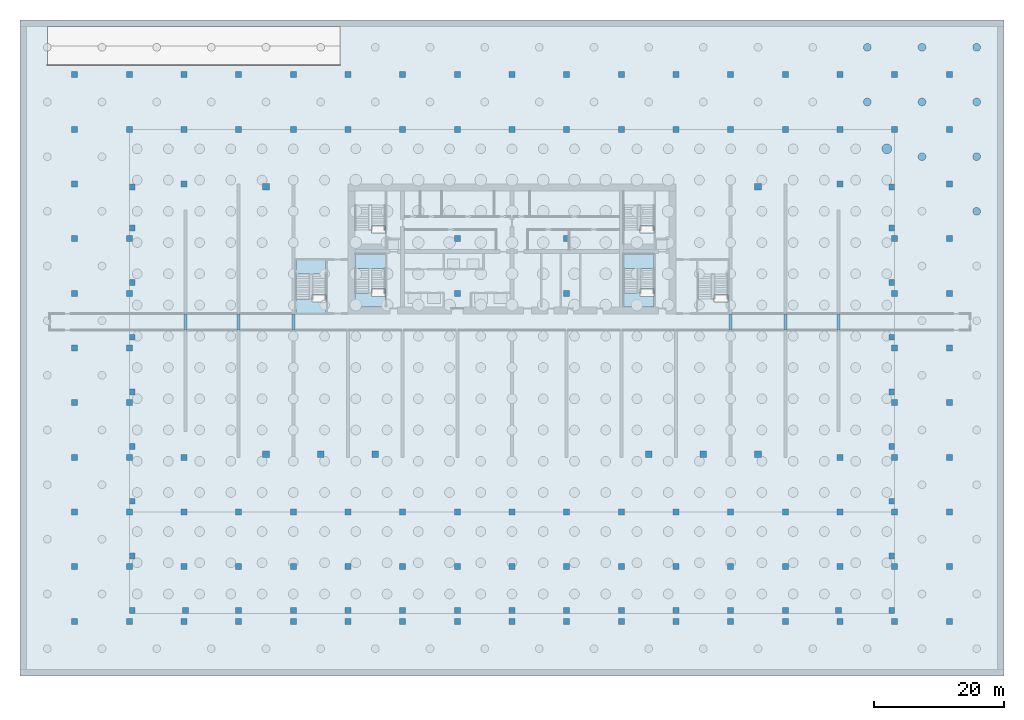
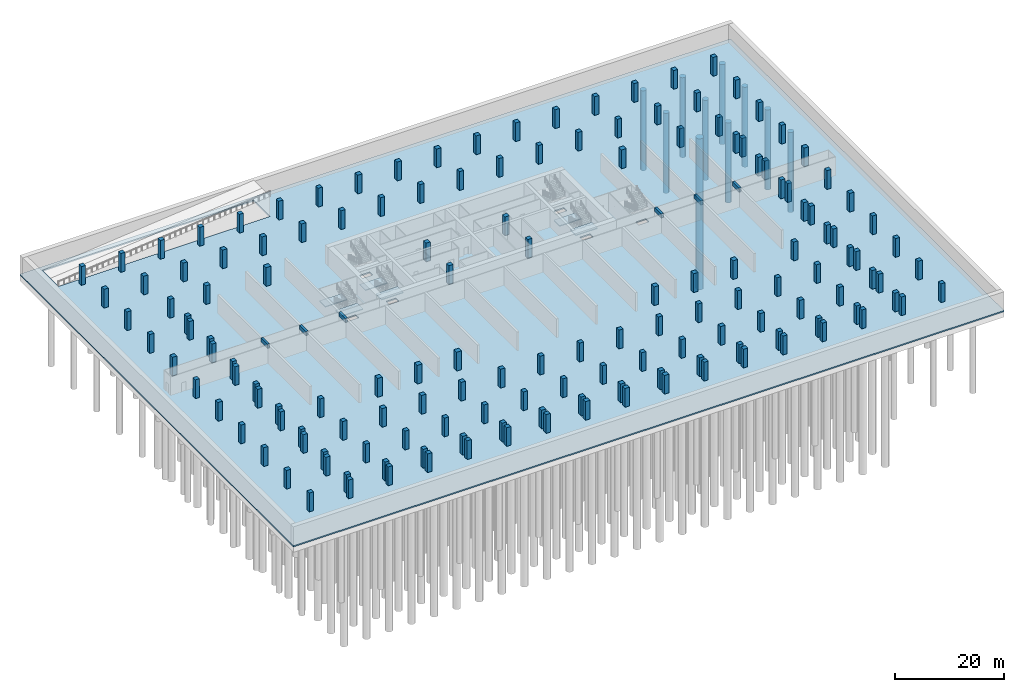
# One storey, part 3 of 17: 154 columns, 10 piles, 7 slabs, 6 beams, 3 elements without a shape of their own.
"""IFC4 building model written with IfcOpenShell, lengths in metres."""

from ifc_helpers import new_model, si_unit, direction, frame, origin, origin_2d, place, context, subcontext, project, spatial, polyline, rectangle, circle, outline, extrude, source, transform, mapped, material, layer, layer_set, material_profile, profile_set, type_object, element, aggregate, save


model = new_model("IFC4")

# Units and contexts
model_context = context("Model", 3, precision=1e-05, world=origin(), true_north=direction((0.0, 1.0)))
body_context = subcontext(model_context, "Body", "Model", "MODEL_VIEW")
ifc_project = project(units=[si_unit("LENGTHUNIT", "METRE"), si_unit("AREAUNIT", "SQUARE_METRE"), si_unit("VOLUMEUNIT", "CUBIC_METRE"), si_unit("PLANEANGLEUNIT", "RADIAN"), si_unit("MASSUNIT", "GRAM", prefix="KILO")], contexts=[model_context])

# Site, building, storey
site_placement = place(None, origin())
site = spatial("IfcSite", under=ifc_project, at=site_placement, CompositionType="ELEMENT")
building_placement = place(site_placement, origin())
building = spatial("IfcBuilding", under=site, at=building_placement, Name="Vanashikhar Sky Hotel", CompositionType="ELEMENT")
storey_placement = place(building_placement, frame((0.0, 0.0, -13.5)))
storey = spatial("IfcBuildingStorey", under=building, at=storey_placement, Name="B3", CompositionType="ELEMENT", Elevation=-13.5)

# Piles
ifc_material_1 = material(Name="Concrete M40", Category="concrete")
pile_type_1 = type_object("IfcPileType", Name="Bored pile 1500 mm", PredefinedType="BORED", material=ifc_material_1)
shared_shape_1 = source(origin(), body_context, "Body", "SweptSolid", [
    extrude(circle(Radius=0.75, at=origin_2d()), origin(), (0.0, 0.0, 1.0), 34.0),
])
pile_placement = place(storey_placement, frame((108.0, 47.39990234375, -3.699951171875), z_axis=(0.0, 0.0, -1.0), x_axis=(1.0, 0.0, 0.0)))
element("IfcPile", 1, at=pile_placement, inside=storey, type_object=pile_type_1, Name="PL-B3-0300", PredefinedType="BORED", context=body_context, shape_type="MappedRepresentation", body=[
    mapped(shared_shape_1, transform((0.0, 0.0, 0.0), scale=1.0)),
])
pile_type_2 = type_object("IfcPileType", Name="Bored pile 1200 mm", PredefinedType="BORED", material=ifc_material_1)
shared_shape_2 = source(origin(), body_context, "Body", "SweptSolid", [
    extrude(circle(Radius=0.60009765625, at=origin_2d()), origin(), (0.0, 0.0, 1.0), 18.0),
])
for number, where, z_axis, x_axis, name in (
    (2, (105.0, 54.60009765625, -1.39990234375), (0.0, 0.0, -1.0), (1.0, 0.0, 0.0), "PL-B3-T065"),
    (3, (105.0, 63.0, -1.39990234375), (0.0, 0.0, -1.0), (1.0, 0.0, 0.0), "PL-B3-T066"),
    (4, (113.39990234375, 46.199951171875, -1.39990234375), (0.0, 0.0, -1.0), (1.0, 0.0, 0.0), "PL-B3-T076"),
    (5, (113.39990234375, 54.60009765625, -1.39990234375), (0.0, 0.0, -1.0), (1.0, 0.0, 0.0), "PL-B3-T077"),
    (6, (113.39990234375, 63.0, -1.39990234375), (0.0, 0.0, -1.0), (1.0, 0.0, 0.0), "PL-B3-T078"),
    (7, (121.800048828125, 37.800048828125, -1.39990234375), (0.0, 0.0, -1.0), (1.0, 0.0, 0.0), "PL-B3-T087"),
    (8, (121.800048828125, 46.199951171875, -1.39990234375), (0.0, 0.0, -1.0), (1.0, 0.0, 0.0), "PL-B3-T088"),
    (9, (121.800048828125, 54.60009765625, -1.39990234375), (0.0, 0.0, -1.0), (1.0, 0.0, 0.0), "PL-B3-T089"),
    (10, (121.800048828125, 63.0, -1.39990234375), (0.0, 0.0, -1.0), (1.0, 0.0, 0.0), "PL-B3-T090"),
):
    element("IfcPile", number, at=place(storey_placement, frame(where, z_axis=z_axis, x_axis=x_axis)), inside=storey, type_object=pile_type_2, Name=name, PredefinedType="BORED", context=body_context, shape_type="MappedRepresentation", body=[
        mapped(shared_shape_2, transform((0.0, 0.0, 0.0), scale=1.0)),
    ])

# Columns
ifc_material_2 = material(Name="Concrete M70", Category="concrete")
ifc_material_profile_1 = material_profile(ifc_material_2, rectangle(XDim=1.0, YDim=1.0, at=origin_2d()))
ifc_profile_set_1 = profile_set([ifc_material_profile_1], Name="RC 1000x1000 column Concrete M70")
column_type_1 = type_object("IfcColumnType", Name="RC 1000x1000 column Concrete M70", PredefinedType="COLUMN", material=ifc_profile_set_1)
shared_shape_3 = source(origin(), body_context, "Body", "SweptSolid", [
    extrude(rectangle(XDim=1.0, YDim=1.0, at=origin_2d()), origin(), (0.0, 0.0, 1.0), 4.52001953125),
])
for number, where, z_axis, x_axis, name in (
    (11, (12.60009765625, 0.449951171875, -0.300048828125), (0.0, 0.0, 1.0), (1.0, 0.0, 0.0), "CL-B3-CF02"),
    (12, (21.0, 0.449951171875, -0.300048828125), (0.0, 0.0, 1.0), (1.0, 0.0, 0.0), "CL-B3-CF03"),
    (13, (29.39990234375, 0.449951171875, -0.300048828125), (0.0, 0.0, 1.0), (1.0, 0.0, 0.0), "CL-B3-CF04"),
    (14, (71.39990234375, 0.449951171875, -0.300048828125), (0.0, 0.0, 1.0), (1.0, 0.0, 0.0), "CL-B3-CF09"),
    (15, (79.800048828125, 0.449951171875, -0.300048828125), (0.0, 0.0, 1.0), (1.0, 0.0, 0.0), "CL-B3-CF10"),
    (16, (88.199951171875, 0.449951171875, -0.300048828125), (0.0, 0.0, 1.0), (1.0, 0.0, 0.0), "CL-B3-CF11"),
    (17, (12.60009765625, 41.550048828125, -0.300048828125), (0.0, 0.0, 1.0), (1.0, 0.0, 0.0), "CL-B3-CR02"),
    (18, (88.199951171875, 41.550048828125, -0.300048828125), (0.0, 0.0, 1.0), (1.0, 0.0, 0.0), "CL-B3-CR11"),
):
    element("IfcColumn", number, at=place(storey_placement, frame(where, z_axis=z_axis, x_axis=x_axis)), inside=storey, type_object=column_type_1, Name=name, PredefinedType="COLUMN", context=body_context, shape_type="MappedRepresentation", body=[
        mapped(shared_shape_3, transform((0.0, 0.0, 0.0), scale=1.0)),
    ])
ifc_material_profile_2 = material_profile(ifc_material_2, rectangle(XDim=0.89990234375, YDim=0.89990234375, at=origin_2d()))
ifc_profile_set_2 = profile_set([ifc_material_profile_2], Name="RC 900x900 column Concrete M70")
column_type_2 = type_object("IfcColumnType", Name="RC 900x900 column Concrete M70", PredefinedType="COLUMN", material=ifc_profile_set_2)
shared_shape_4 = source(origin(), body_context, "Body", "SweptSolid", [
    extrude(rectangle(XDim=0.89990234375, YDim=0.89990234375, at=origin_2d()), origin(), (0.0, 0.0, 1.0), 4.52001953125),
])
for number, where, z_axis, x_axis, name in (
    (19, (-7.949951171875, -23.550048828125, -0.300048828125), (0.0, 0.0, 1.0), (1.0, 0.0, 0.0), "CL-B3-CAW01"),
    (20, (108.75, -23.550048828125, -0.300048828125), (0.0, 0.0, 1.0), (1.0, 0.0, 0.0), "CL-B3-CAE01"),
    (21, (-7.949951171875, -15.14990234375, -0.300048828125), (0.0, 0.0, 1.0), (1.0, 0.0, 0.0), "CL-B3-CAW02"),
    (22, (108.75, -15.14990234375, -0.300048828125), (0.0, 0.0, 1.0), (1.0, 0.0, 0.0), "CL-B3-CAE02"),
    (23, (-7.949951171875, -6.75, -0.300048828125), (0.0, 0.0, 1.0), (1.0, 0.0, 0.0), "CL-B3-CAW03"),
    (24, (108.75, -6.75, -0.300048828125), (0.0, 0.0, 1.0), (1.0, 0.0, 0.0), "CL-B3-CAE03"),
    (25, (-7.949951171875, 1.64990234375, -0.300048828125), (0.0, 0.0, 1.0), (1.0, 0.0, 0.0), "CL-B3-CAW04"),
    (26, (108.75, 1.64990234375, -0.300048828125), (0.0, 0.0, 1.0), (1.0, 0.0, 0.0), "CL-B3-CAE04"),
    (27, (-7.949951171875, 10.050048828125, -0.300048828125), (0.0, 0.0, 1.0), (1.0, 0.0, 0.0), "CL-B3-CAW05"),
    (28, (108.75, 10.050048828125, -0.300048828125), (0.0, 0.0, 1.0), (1.0, 0.0, 0.0), "CL-B3-CAE05"),
    (29, (-7.949951171875, 18.449951171875, -0.300048828125), (0.0, 0.0, 1.0), (1.0, 0.0, 0.0), "CL-B3-CAW06"),
    (30, (108.75, 18.449951171875, -0.300048828125), (0.0, 0.0, 1.0), (1.0, 0.0, 0.0), "CL-B3-CAE06"),
    (31, (-7.949951171875, 26.85009765625, -0.300048828125), (0.0, 0.0, 1.0), (1.0, 0.0, 0.0), "CL-B3-CAW07"),
    (32, (108.75, 26.85009765625, -0.300048828125), (0.0, 0.0, 1.0), (1.0, 0.0, 0.0), "CL-B3-CAE07"),
    (33, (-7.949951171875, 35.25, -0.300048828125), (0.0, 0.0, 1.0), (1.0, 0.0, 0.0), "CL-B3-CAW08"),
    (34, (108.75, 35.25, -0.300048828125), (0.0, 0.0, 1.0), (1.0, 0.0, 0.0), "CL-B3-CAE08"),
    (35, (-7.949951171875, 41.550048828125, -0.300048828125), (0.0, 0.0, 1.0), (1.0, 0.0, 0.0), "CL-B3-CAW09"),
    (36, (108.75, 41.550048828125, -0.300048828125), (0.0, 0.0, 1.0), (1.0, 0.0, 0.0), "CL-B3-CAE09"),
    (37, (0.22509765625, -23.550048828125, -0.300048828125), (0.0, 0.0, 1.0), (1.0, 0.0, 0.0), "CL-B3-CAF01"),
    (38, (8.39990234375, -23.550048828125, -0.300048828125), (0.0, 0.0, 1.0), (1.0, 0.0, 0.0), "CL-B3-CAF02"),
    (39, (16.800048828125, -23.550048828125, -0.300048828125), (0.0, 0.0, 1.0), (1.0, 0.0, 0.0), "CL-B3-CAF03"),
    (40, (25.199951171875, -23.550048828125, -0.300048828125), (0.0, 0.0, 1.0), (1.0, 0.0, 0.0), "CL-B3-CAF04"),
    (41, (33.60009765625, -23.550048828125, -0.300048828125), (0.0, 0.0, 1.0), (1.0, 0.0, 0.0), "CL-B3-CAF05"),
    (42, (42.0, -23.550048828125, -0.300048828125), (0.0, 0.0, 1.0), (1.0, 0.0, 0.0), "CL-B3-CAF06"),
    (43, (50.39990234375, -23.550048828125, -0.300048828125), (0.0, 0.0, 1.0), (1.0, 0.0, 0.0), "CL-B3-CAF07"),
    (44, (58.800048828125, -23.550048828125, -0.300048828125), (0.0, 0.0, 1.0), (1.0, 0.0, 0.0), "CL-B3-CAF08"),
    (45, (67.199951171875, -23.550048828125, -0.300048828125), (0.0, 0.0, 1.0), (1.0, 0.0, 0.0), "CL-B3-CAF09"),
    (46, (75.60009765625, -23.550048828125, -0.300048828125), (0.0, 0.0, 1.0), (1.0, 0.0, 0.0), "CL-B3-CAF10"),
    (47, (84.0, -23.550048828125, -0.300048828125), (0.0, 0.0, 1.0), (1.0, 0.0, 0.0), "CL-B3-CAF11"),
    (48, (92.39990234375, -23.550048828125, -0.300048828125), (0.0, 0.0, 1.0), (1.0, 0.0, 0.0), "CL-B3-CAF12"),
    (49, (100.574951171875, -23.550048828125, -0.300048828125), (0.0, 0.0, 1.0), (1.0, 0.0, 0.0), "CL-B3-CAF13"),
    (50, (-16.800048828125, -25.199951171875, -0.300048828125), (0.0, 0.0, 1.0), (1.0, 0.0, 0.0), "CL-B3-G001"),
    (51, (-16.800048828125, -16.800048828125, -0.300048828125), (0.0, 0.0, 1.0), (1.0, 0.0, 0.0), "CL-B3-G002"),
    (52, (-16.800048828125, -8.39990234375, -0.300048828125), (0.0, 0.0, 1.0), (1.0, 0.0, 0.0), "CL-B3-G003"),
    (53, (-16.800048828125, 0.0, -0.300048828125), (0.0, 0.0, 1.0), (1.0, 0.0, 0.0), "CL-B3-G004"),
    (54, (-16.800048828125, 8.39990234375, -0.300048828125), (0.0, 0.0, 1.0), (1.0, 0.0, 0.0), "CL-B3-G005"),
    (55, (-16.800048828125, 16.800048828125, -0.300048828125), (0.0, 0.0, 1.0), (1.0, 0.0, 0.0), "CL-B3-G006"),
    (56, (-16.800048828125, 25.199951171875, -0.300048828125), (0.0, 0.0, 1.0), (1.0, 0.0, 0.0), "CL-B3-G007"),
    (57, (-16.800048828125, 33.60009765625, -0.300048828125), (0.0, 0.0, 1.0), (1.0, 0.0, 0.0), "CL-B3-G008"),
    (58, (-16.800048828125, 42.0, -0.300048828125), (0.0, 0.0, 1.0), (1.0, 0.0, 0.0), "CL-B3-G009"),
    (59, (-16.800048828125, 50.39990234375, -0.300048828125), (0.0, 0.0, 1.0), (1.0, 0.0, 0.0), "CL-B3-G010"),
    (60, (-16.800048828125, 58.800048828125, -0.300048828125), (0.0, 0.0, 1.0), (1.0, 0.0, 0.0), "CL-B3-G011"),
    (61, (-8.39990234375, -25.199951171875, -0.300048828125), (0.0, 0.0, 1.0), (1.0, 0.0, 0.0), "CL-B3-G012"),
    (62, (-8.39990234375, -16.800048828125, -0.300048828125), (0.0, 0.0, 1.0), (1.0, 0.0, 0.0), "CL-B3-G013"),
    (63, (-8.39990234375, -8.39990234375, -0.300048828125), (0.0, 0.0, 1.0), (1.0, 0.0, 0.0), "CL-B3-G014"),
    (64, (-8.39990234375, 0.0, -0.300048828125), (0.0, 0.0, 1.0), (1.0, 0.0, 0.0), "CL-B3-G015"),
    (65, (-8.39990234375, 8.39990234375, -0.300048828125), (0.0, 0.0, 1.0), (1.0, 0.0, 0.0), "CL-B3-G016"),
    (66, (-8.39990234375, 16.800048828125, -0.300048828125), (0.0, 0.0, 1.0), (1.0, 0.0, 0.0), "CL-B3-G017"),
    (67, (-8.39990234375, 25.199951171875, -0.300048828125), (0.0, 0.0, 1.0), (1.0, 0.0, 0.0), "CL-B3-G018"),
    (68, (-8.39990234375, 33.60009765625, -0.300048828125), (0.0, 0.0, 1.0), (1.0, 0.0, 0.0), "CL-B3-G019"),
    (69, (-8.39990234375, 50.39990234375, -0.300048828125), (0.0, 0.0, 1.0), (1.0, 0.0, 0.0), "CL-B3-G020"),
    (70, (-8.39990234375, 58.800048828125, -0.300048828125), (0.0, 0.0, 1.0), (1.0, 0.0, 0.0), "CL-B3-G021"),
    (71, (0.0, -25.199951171875, -0.300048828125), (0.0, 0.0, 1.0), (1.0, 0.0, 0.0), "CL-B3-G022"),
    (72, (0.0, -16.800048828125, -0.300048828125), (0.0, 0.0, 1.0), (1.0, 0.0, 0.0), "CL-B3-G023"),
    (73, (0.0, -8.39990234375, -0.300048828125), (0.0, 0.0, 1.0), (1.0, 0.0, 0.0), "CL-B3-G024"),
    (74, (0.0, 0.0, -0.300048828125), (0.0, 0.0, 1.0), (1.0, 0.0, 0.0), "CL-B3-G025"),
    (75, (0.0, 42.0, -0.300048828125), (0.0, 0.0, 1.0), (1.0, 0.0, 0.0), "CL-B3-G026"),
    (76, (0.0, 50.39990234375, -0.300048828125), (0.0, 0.0, 1.0), (1.0, 0.0, 0.0), "CL-B3-G027"),
    (77, (0.0, 58.800048828125, -0.300048828125), (0.0, 0.0, 1.0), (1.0, 0.0, 0.0), "CL-B3-G028"),
    (78, (8.39990234375, -25.199951171875, -0.300048828125), (0.0, 0.0, 1.0), (1.0, 0.0, 0.0), "CL-B3-G029"),
    (79, (8.39990234375, -16.800048828125, -0.300048828125), (0.0, 0.0, 1.0), (1.0, 0.0, 0.0), "CL-B3-G030"),
    (80, (8.39990234375, -8.39990234375, -0.300048828125), (0.0, 0.0, 1.0), (1.0, 0.0, 0.0), "CL-B3-G031"),
    (81, (8.39990234375, 50.39990234375, -0.300048828125), (0.0, 0.0, 1.0), (1.0, 0.0, 0.0), "CL-B3-G032"),
    (82, (8.39990234375, 58.800048828125, -0.300048828125), (0.0, 0.0, 1.0), (1.0, 0.0, 0.0), "CL-B3-G033"),
    (83, (16.800048828125, -25.199951171875, -0.300048828125), (0.0, 0.0, 1.0), (1.0, 0.0, 0.0), "CL-B3-G034"),
    (84, (16.800048828125, -16.800048828125, -0.300048828125), (0.0, 0.0, 1.0), (1.0, 0.0, 0.0), "CL-B3-G035"),
    (85, (16.800048828125, -8.39990234375, -0.300048828125), (0.0, 0.0, 1.0), (1.0, 0.0, 0.0), "CL-B3-G036"),
    (86, (16.800048828125, 50.39990234375, -0.300048828125), (0.0, 0.0, 1.0), (1.0, 0.0, 0.0), "CL-B3-G037"),
    (87, (16.800048828125, 58.800048828125, -0.300048828125), (0.0, 0.0, 1.0), (1.0, 0.0, 0.0), "CL-B3-G038"),
    (88, (25.199951171875, -25.199951171875, -0.300048828125), (0.0, 0.0, 1.0), (1.0, 0.0, 0.0), "CL-B3-G039"),
    (89, (25.199951171875, -16.800048828125, -0.300048828125), (0.0, 0.0, 1.0), (1.0, 0.0, 0.0), "CL-B3-G040"),
    (90, (25.199951171875, -8.39990234375, -0.300048828125), (0.0, 0.0, 1.0), (1.0, 0.0, 0.0), "CL-B3-G041"),
    (91, (25.199951171875, 50.39990234375, -0.300048828125), (0.0, 0.0, 1.0), (1.0, 0.0, 0.0), "CL-B3-G042"),
    (92, (25.199951171875, 58.800048828125, -0.300048828125), (0.0, 0.0, 1.0), (1.0, 0.0, 0.0), "CL-B3-G043"),
    (93, (33.60009765625, -25.199951171875, -0.300048828125), (0.0, 0.0, 1.0), (1.0, 0.0, 0.0), "CL-B3-G044"),
    (94, (33.60009765625, -16.800048828125, -0.300048828125), (0.0, 0.0, 1.0), (1.0, 0.0, 0.0), "CL-B3-G045"),
    (95, (33.60009765625, -8.39990234375, -0.300048828125), (0.0, 0.0, 1.0), (1.0, 0.0, 0.0), "CL-B3-G046"),
    (96, (33.60009765625, 50.39990234375, -0.300048828125), (0.0, 0.0, 1.0), (1.0, 0.0, 0.0), "CL-B3-G047"),
    (97, (33.60009765625, 58.800048828125, -0.300048828125), (0.0, 0.0, 1.0), (1.0, 0.0, 0.0), "CL-B3-G048"),
    (98, (42.0, -25.199951171875, -0.300048828125), (0.0, 0.0, 1.0), (1.0, 0.0, 0.0), "CL-B3-G049"),
    (99, (42.0, -16.800048828125, -0.300048828125), (0.0, 0.0, 1.0), (1.0, 0.0, 0.0), "CL-B3-G050"),
    (100, (42.0, -8.39990234375, -0.300048828125), (0.0, 0.0, 1.0), (1.0, 0.0, 0.0), "CL-B3-G051"),
    (101, (42.0, 25.199951171875, -0.300048828125), (0.0, 0.0, 1.0), (1.0, 0.0, 0.0), "CL-B3-G052"),
    (102, (42.0, 33.60009765625, -0.300048828125), (0.0, 0.0, 1.0), (1.0, 0.0, 0.0), "CL-B3-G053"),
    (103, (42.0, 50.39990234375, -0.300048828125), (0.0, 0.0, 1.0), (1.0, 0.0, 0.0), "CL-B3-G054"),
    (104, (42.0, 58.800048828125, -0.300048828125), (0.0, 0.0, 1.0), (1.0, 0.0, 0.0), "CL-B3-G055"),
    (105, (50.39990234375, -25.199951171875, -0.300048828125), (0.0, 0.0, 1.0), (1.0, 0.0, 0.0), "CL-B3-G056"),
    (106, (50.39990234375, -16.800048828125, -0.300048828125), (0.0, 0.0, 1.0), (1.0, 0.0, 0.0), "CL-B3-G057"),
    (107, (50.39990234375, -8.39990234375, -0.300048828125), (0.0, 0.0, 1.0), (1.0, 0.0, 0.0), "CL-B3-G058"),
    (108, (50.39990234375, 50.39990234375, -0.300048828125), (0.0, 0.0, 1.0), (1.0, 0.0, 0.0), "CL-B3-G059"),
    (109, (50.39990234375, 58.800048828125, -0.300048828125), (0.0, 0.0, 1.0), (1.0, 0.0, 0.0), "CL-B3-G060"),
    (110, (58.800048828125, -25.199951171875, -0.300048828125), (0.0, 0.0, 1.0), (1.0, 0.0, 0.0), "CL-B3-G061"),
    (111, (58.800048828125, -16.800048828125, -0.300048828125), (0.0, 0.0, 1.0), (1.0, 0.0, 0.0), "CL-B3-G062"),
    (112, (58.800048828125, -8.39990234375, -0.300048828125), (0.0, 0.0, 1.0), (1.0, 0.0, 0.0), "CL-B3-G063"),
    (113, (58.800048828125, 25.199951171875, -0.300048828125), (0.0, 0.0, 1.0), (1.0, 0.0, 0.0), "CL-B3-G064"),
    (114, (58.800048828125, 33.60009765625, -0.300048828125), (0.0, 0.0, 1.0), (1.0, 0.0, 0.0), "CL-B3-G065"),
    (115, (58.800048828125, 50.39990234375, -0.300048828125), (0.0, 0.0, 1.0), (1.0, 0.0, 0.0), "CL-B3-G066"),
    (116, (58.800048828125, 58.800048828125, -0.300048828125), (0.0, 0.0, 1.0), (1.0, 0.0, 0.0), "CL-B3-G067"),
    (117, (67.199951171875, -25.199951171875, -0.300048828125), (0.0, 0.0, 1.0), (1.0, 0.0, 0.0), "CL-B3-G068"),
    (118, (67.199951171875, -16.800048828125, -0.300048828125), (0.0, 0.0, 1.0), (1.0, 0.0, 0.0), "CL-B3-G069"),
    (119, (67.199951171875, -8.39990234375, -0.300048828125), (0.0, 0.0, 1.0), (1.0, 0.0, 0.0), "CL-B3-G070"),
    (120, (67.199951171875, 50.39990234375, -0.300048828125), (0.0, 0.0, 1.0), (1.0, 0.0, 0.0), "CL-B3-G071"),
    (121, (67.199951171875, 58.800048828125, -0.300048828125), (0.0, 0.0, 1.0), (1.0, 0.0, 0.0), "CL-B3-G072"),
    (122, (75.60009765625, -25.199951171875, -0.300048828125), (0.0, 0.0, 1.0), (1.0, 0.0, 0.0), "CL-B3-G073"),
    (123, (75.60009765625, -16.800048828125, -0.300048828125), (0.0, 0.0, 1.0), (1.0, 0.0, 0.0), "CL-B3-G074"),
    (124, (75.60009765625, -8.39990234375, -0.300048828125), (0.0, 0.0, 1.0), (1.0, 0.0, 0.0), "CL-B3-G075"),
    (125, (75.60009765625, 50.39990234375, -0.300048828125), (0.0, 0.0, 1.0), (1.0, 0.0, 0.0), "CL-B3-G076"),
    (126, (75.60009765625, 58.800048828125, -0.300048828125), (0.0, 0.0, 1.0), (1.0, 0.0, 0.0), "CL-B3-G077"),
    (127, (84.0, -25.199951171875, -0.300048828125), (0.0, 0.0, 1.0), (1.0, 0.0, 0.0), "CL-B3-G078"),
    (128, (84.0, -16.800048828125, -0.300048828125), (0.0, 0.0, 1.0), (1.0, 0.0, 0.0), "CL-B3-G079"),
    (129, (84.0, -8.39990234375, -0.300048828125), (0.0, 0.0, 1.0), (1.0, 0.0, 0.0), "CL-B3-G080"),
    (130, (84.0, 50.39990234375, -0.300048828125), (0.0, 0.0, 1.0), (1.0, 0.0, 0.0), "CL-B3-G081"),
    (131, (84.0, 58.800048828125, -0.300048828125), (0.0, 0.0, 1.0), (1.0, 0.0, 0.0), "CL-B3-G082"),
    (132, (92.39990234375, -25.199951171875, -0.300048828125), (0.0, 0.0, 1.0), (1.0, 0.0, 0.0), "CL-B3-G083"),
    (133, (92.39990234375, -16.800048828125, -0.300048828125), (0.0, 0.0, 1.0), (1.0, 0.0, 0.0), "CL-B3-G084"),
    (134, (92.39990234375, -8.39990234375, -0.300048828125), (0.0, 0.0, 1.0), (1.0, 0.0, 0.0), "CL-B3-G085"),
    (135, (92.39990234375, 50.39990234375, -0.300048828125), (0.0, 0.0, 1.0), (1.0, 0.0, 0.0), "CL-B3-G086"),
    (136, (92.39990234375, 58.800048828125, -0.300048828125), (0.0, 0.0, 1.0), (1.0, 0.0, 0.0), "CL-B3-G087"),
    (137, (100.800048828125, -25.199951171875, -0.300048828125), (0.0, 0.0, 1.0), (1.0, 0.0, 0.0), "CL-B3-G088"),
    (138, (100.800048828125, -16.800048828125, -0.300048828125), (0.0, 0.0, 1.0), (1.0, 0.0, 0.0), "CL-B3-G089"),
    (139, (100.800048828125, -8.39990234375, -0.300048828125), (0.0, 0.0, 1.0), (1.0, 0.0, 0.0), "CL-B3-G090"),
    (140, (100.800048828125, 0.0, -0.300048828125), (0.0, 0.0, 1.0), (1.0, 0.0, 0.0), "CL-B3-G091"),
    (141, (100.800048828125, 42.0, -0.300048828125), (0.0, 0.0, 1.0), (1.0, 0.0, 0.0), "CL-B3-G092"),
    (142, (100.800048828125, 50.39990234375, -0.300048828125), (0.0, 0.0, 1.0), (1.0, 0.0, 0.0), "CL-B3-G093"),
    (143, (100.800048828125, 58.800048828125, -0.300048828125), (0.0, 0.0, 1.0), (1.0, 0.0, 0.0), "CL-B3-G094"),
    (144, (109.199951171875, -25.199951171875, -0.300048828125), (0.0, 0.0, 1.0), (1.0, 0.0, 0.0), "CL-B3-G095"),
    (145, (109.199951171875, -16.800048828125, -0.300048828125), (0.0, 0.0, 1.0), (1.0, 0.0, 0.0), "CL-B3-G096"),
    (146, (109.199951171875, -8.39990234375, -0.300048828125), (0.0, 0.0, 1.0), (1.0, 0.0, 0.0), "CL-B3-G097"),
    (147, (109.199951171875, 0.0, -0.300048828125), (0.0, 0.0, 1.0), (1.0, 0.0, 0.0), "CL-B3-G098"),
    (148, (109.199951171875, 8.39990234375, -0.300048828125), (0.0, 0.0, 1.0), (1.0, 0.0, 0.0), "CL-B3-G099"),
    (149, (109.199951171875, 16.800048828125, -0.300048828125), (0.0, 0.0, 1.0), (1.0, 0.0, 0.0), "CL-B3-G100"),
    (150, (109.199951171875, 25.199951171875, -0.300048828125), (0.0, 0.0, 1.0), (1.0, 0.0, 0.0), "CL-B3-G101"),
    (151, (109.199951171875, 33.60009765625, -0.300048828125), (0.0, 0.0, 1.0), (1.0, 0.0, 0.0), "CL-B3-G102"),
    (152, (109.199951171875, 50.39990234375, -0.300048828125), (0.0, 0.0, 1.0), (1.0, 0.0, 0.0), "CL-B3-G103"),
    (153, (109.199951171875, 58.800048828125, -0.300048828125), (0.0, 0.0, 1.0), (1.0, 0.0, 0.0), "CL-B3-G104"),
    (154, (117.60009765625, -25.199951171875, -0.300048828125), (0.0, 0.0, 1.0), (1.0, 0.0, 0.0), "CL-B3-G105"),
    (155, (117.60009765625, -16.800048828125, -0.300048828125), (0.0, 0.0, 1.0), (1.0, 0.0, 0.0), "CL-B3-G106"),
    (156, (117.60009765625, -8.39990234375, -0.300048828125), (0.0, 0.0, 1.0), (1.0, 0.0, 0.0), "CL-B3-G107"),
    (157, (117.60009765625, 0.0, -0.300048828125), (0.0, 0.0, 1.0), (1.0, 0.0, 0.0), "CL-B3-G108"),
    (158, (117.60009765625, 8.39990234375, -0.300048828125), (0.0, 0.0, 1.0), (1.0, 0.0, 0.0), "CL-B3-G109"),
    (159, (117.60009765625, 16.800048828125, -0.300048828125), (0.0, 0.0, 1.0), (1.0, 0.0, 0.0), "CL-B3-G110"),
    (160, (117.60009765625, 25.199951171875, -0.300048828125), (0.0, 0.0, 1.0), (1.0, 0.0, 0.0), "CL-B3-G111"),
    (161, (117.60009765625, 33.60009765625, -0.300048828125), (0.0, 0.0, 1.0), (1.0, 0.0, 0.0), "CL-B3-G112"),
    (162, (117.60009765625, 42.0, -0.300048828125), (0.0, 0.0, 1.0), (1.0, 0.0, 0.0), "CL-B3-G113"),
    (163, (117.60009765625, 50.39990234375, -0.300048828125), (0.0, 0.0, 1.0), (1.0, 0.0, 0.0), "CL-B3-G114"),
    (164, (117.60009765625, 58.800048828125, -0.300048828125), (0.0, 0.0, 1.0), (1.0, 0.0, 0.0), "CL-B3-G115"),
):
    element("IfcColumn", number, at=place(storey_placement, frame(where, z_axis=z_axis, x_axis=x_axis)), inside=storey, type_object=column_type_2, Name=name, PredefinedType="COLUMN", context=body_context, shape_type="MappedRepresentation", body=[
        mapped(shared_shape_4, transform((0.0, 0.0, 0.0), scale=1.0)),
    ])

# Beams
ifc_material_3 = material(Name="Concrete M50", Category="concrete")
ifc_material_profile_3 = material_profile(ifc_material_3, rectangle(XDim=0.449951171875, YDim=0.89990234375, at=origin_2d()))
ifc_profile_set_3 = profile_set([ifc_material_profile_3], Name="RC 450x900 beam Concrete M50")
beam_type = type_object("IfcBeamType", Name="RC 450x900 beam Concrete M50", PredefinedType="LINTEL", material=ifc_profile_set_3)
shared_shape_5 = source(origin(), body_context, "Body", "SweptSolid", [
    extrude(rectangle(XDim=0.449951171875, YDim=0.89990234375, at=origin_2d()), origin(), (0.0, 0.0, 1.0), 2.39990234375),
])
for number, where, z_axis, x_axis, name in (
    (165, (0.22509765625, 19.60009765625, 3.77001953125), (0.0, 1.0, 0.0), (-1.0, 0.0, 0.0), "LB-B3-XW01"),
    (166, (8.39990234375, 19.60009765625, 3.77001953125), (0.0, 1.0, 0.0), (-1.0, 0.0, 0.0), "LB-B3-XW02"),
    (167, (16.800048828125, 19.60009765625, 3.77001953125), (0.0, 1.0, 0.0), (-1.0, 0.0, 0.0), "LB-B3-XW03"),
    (168, (84.0, 19.60009765625, 3.77001953125), (0.0, 1.0, 0.0), (-1.0, 0.0, 0.0), "LB-B3-XW11"),
    (169, (92.39990234375, 19.60009765625, 3.77001953125), (0.0, 1.0, 0.0), (-1.0, 0.0, 0.0), "LB-B3-XW12"),
    (170, (100.574951171875, 19.60009765625, 3.77001953125), (0.0, 1.0, 0.0), (-1.0, 0.0, 0.0), "LB-B3-XW13"),
):
    element("IfcBeam", number, at=place(storey_placement, frame(where, z_axis=z_axis, x_axis=x_axis)), inside=storey, type_object=beam_type, Name=name, PredefinedType="LINTEL", context=body_context, shape_type="MappedRepresentation", body=[
        mapped(shared_shape_5, transform((0.0, 0.0, 0.0), scale=1.0)),
    ])

# Slab
ifc_material_4 = material(Name="Concrete M25", Category="concrete")
ifc_layer_1 = layer(ifc_material_4, 0.300048828125)
ifc_layer_set_1 = layer_set([ifc_layer_1], Name="Basement floor topping 300 mm")
slab_type_1 = type_object("IfcSlabType", Name="Basement floor topping 300 mm", PredefinedType="FLOOR", material=ifc_layer_set_1)
shared_shape_6 = source(origin(), body_context, "Body", "SweptSolid", [
    extrude(outline(polyline([(-25.199951171875, -33.60009765625), (126.0, -33.60009765625), (126.0, 67.199951171875), (-25.199951171875, 67.199951171875), (-25.199951171875, -33.60009765625)]), holes=[polyline([(28.804931640625, 24.75), (30.945068359375, 24.75), (30.945068359375, 25.85009765625), (28.804931640625, 25.85009765625), (28.804931640625, 24.75)]), polyline([(70.10498046875, 24.75), (72.2451171875, 24.75), (72.2451171875, 25.85009765625), (70.10498046875, 25.85009765625), (70.10498046875, 24.75)]), polyline([(19.705078125, 23.85009765625), (21.844970703125, 23.85009765625), (21.844970703125, 24.949951171875), (19.705078125, 24.949951171875), (19.705078125, 23.85009765625)]), polyline([(81.455078125, 23.85009765625), (83.594970703125, 23.85009765625), (83.594970703125, 24.949951171875), (81.455078125, 24.949951171875), (81.455078125, 23.85009765625)]), polyline([(28.804931640625, 34.449951171875), (30.945068359375, 34.449951171875), (30.945068359375, 35.550048828125), (28.804931640625, 35.550048828125), (28.804931640625, 34.449951171875)]), polyline([(70.10498046875, 34.449951171875), (72.2451171875, 34.449951171875), (72.2451171875, 35.550048828125), (70.10498046875, 35.550048828125), (70.10498046875, 34.449951171875)]), polyline([(24.0, 60.199951171875), (24.0, 66.199951171875), (-21.0, 66.199951171875), (-21.0, 60.199951171875), (24.0, 60.199951171875)])]), origin(), (0.0, 0.0, 1.0), 0.300048828125),
])
slab_1_placement = place(storey_placement, frame((0.0, 0.0, -0.300048828125)))
element("IfcSlab", 171, at=slab_1_placement, inside=storey, type_object=slab_type_1, Name="Basement floor topping", PredefinedType="FLOOR", context=body_context, shape_type="MappedRepresentation", body=[
    mapped(shared_shape_6, transform((0.0, 0.0, 0.0), scale=1.0)),
])

# Stair, slabs
stair_type = type_object("IfcStairType", Name="Exit stair 2150", PredefinedType="DOUBLE_RETURN_STAIR", material=ifc_material_1)
stair_1_placement = place(storey_placement, origin())
stair_1 = element("IfcStair", 172, at=stair_1_placement, inside=storey, type_object=stair_type, Name="B3 Exit stair 1", PredefinedType="DOUBLE_RETURN_STAIR")
ifc_layer_2 = layer(ifc_material_1, 0.199951171875)
ifc_layer_set_2 = layer_set([ifc_layer_2], Name="Stair landing 200")
slab_type_2 = type_object("IfcSlabType", Name="Stair landing 200", PredefinedType="LANDING", material=ifc_layer_set_2)
shared_shape_7 = source(origin(), body_context, "Body", "SweptSolid", [
    extrude(outline(polyline([(30.949951171875, 29.050048828125), (30.949951171875, 31.199951171875), (26.300048828125, 31.199951171875), (26.300048828125, 29.050048828125), (30.949951171875, 29.050048828125)])), origin(), (0.0, 0.0, 1.0), 0.199951171875),
])
slab_2_placement = place(storey_placement, frame((0.0, 0.0, 1.300048828125)))
slab_2 = element("IfcSlab", 173, at=slab_2_placement, type_object=slab_type_2, Name="ST-C1 landing 1", PredefinedType="LANDING", context=body_context, shape_type="MappedRepresentation", body=[
    mapped(shared_shape_7, transform((0.0, 0.0, 0.0), scale=1.0)),
])
shared_shape_8 = source(origin(), body_context, "Body", "SweptSolid", [
    extrude(outline(polyline([(30.949951171875, 23.10009765625), (30.949951171875, 25.25), (26.300048828125, 25.25), (26.300048828125, 23.10009765625), (30.949951171875, 23.10009765625)])), origin(), (0.0, 0.0, 1.0), 0.199951171875),
])
slab_3_placement = place(storey_placement, frame((0.0, 0.0, 2.800048828125)))
slab_3 = element("IfcSlab", 174, at=slab_3_placement, type_object=slab_type_2, Name="ST-C1 landing 2", PredefinedType="LANDING", context=body_context, shape_type="MappedRepresentation", body=[
    mapped(shared_shape_8, transform((0.0, 0.0, 0.0), scale=1.0)),
])
aggregate(stair_1, [slab_2, slab_3])

stair_2_placement = place(storey_placement, origin())
stair_2 = element("IfcStair", 175, at=stair_2_placement, inside=storey, type_object=stair_type, Name="B3 Exit stair 2", PredefinedType="DOUBLE_RETURN_STAIR")
shared_shape_9 = source(origin(), body_context, "Body", "SweptSolid", [
    extrude(outline(polyline([(72.25, 29.050048828125), (72.25, 31.199951171875), (67.60009765625, 31.199951171875), (67.60009765625, 29.050048828125), (72.25, 29.050048828125)])), origin(), (0.0, 0.0, 1.0), 0.199951171875),
])
slab_4_placement = place(storey_placement, frame((0.0, 0.0, 1.300048828125)))
slab_4 = element("IfcSlab", 176, at=slab_4_placement, type_object=slab_type_2, Name="ST-C2 landing 1", PredefinedType="LANDING", context=body_context, shape_type="MappedRepresentation", body=[
    mapped(shared_shape_9, transform((0.0, 0.0, 0.0), scale=1.0)),
])
shared_shape_10 = source(origin(), body_context, "Body", "SweptSolid", [
    extrude(outline(polyline([(72.25, 23.10009765625), (72.25, 25.25), (67.60009765625, 25.25), (67.60009765625, 23.10009765625), (72.25, 23.10009765625)])), origin(), (0.0, 0.0, 1.0), 0.199951171875),
])
slab_5_placement = place(storey_placement, frame((0.0, 0.0, 2.800048828125)))
slab_5 = element("IfcSlab", 177, at=slab_5_placement, type_object=slab_type_2, Name="ST-C2 landing 2", PredefinedType="LANDING", context=body_context, shape_type="MappedRepresentation", body=[
    mapped(shared_shape_10, transform((0.0, 0.0, 0.0), scale=1.0)),
])
aggregate(stair_2, [slab_4, slab_5])

stair_3_placement = place(storey_placement, origin())
stair_3 = element("IfcStair", 178, at=stair_3_placement, inside=storey, type_object=stair_type, Name="B3 Exit stair 3", PredefinedType="DOUBLE_RETURN_STAIR")
shared_shape_11 = source(origin(), body_context, "Body", "SweptSolid", [
    extrude(outline(polyline([(21.85009765625, 28.14990234375), (21.85009765625, 30.300048828125), (17.199951171875, 30.300048828125), (17.199951171875, 28.14990234375), (21.85009765625, 28.14990234375)])), origin(), (0.0, 0.0, 1.0), 0.199951171875),
])
slab_6_placement = place(storey_placement, frame((0.0, 0.0, 1.300048828125)))
slab_6 = element("IfcSlab", 179, at=slab_6_placement, type_object=slab_type_2, Name="ST-W landing 1", PredefinedType="LANDING", context=body_context, shape_type="MappedRepresentation", body=[
    mapped(shared_shape_11, transform((0.0, 0.0, 0.0), scale=1.0)),
])
shared_shape_12 = source(origin(), body_context, "Body", "SweptSolid", [
    extrude(outline(polyline([(21.85009765625, 22.199951171875), (21.85009765625, 24.35009765625), (17.199951171875, 24.35009765625), (17.199951171875, 22.199951171875), (21.85009765625, 22.199951171875)])), origin(), (0.0, 0.0, 1.0), 0.199951171875),
])
slab_7_placement = place(storey_placement, frame((0.0, 0.0, 2.800048828125)))
slab_7 = element("IfcSlab", 180, at=slab_7_placement, type_object=slab_type_2, Name="ST-W landing 2", PredefinedType="LANDING", context=body_context, shape_type="MappedRepresentation", body=[
    mapped(shared_shape_12, transform((0.0, 0.0, 0.0), scale=1.0)),
])
aggregate(stair_3, [slab_6, slab_7])

save(model, "model.ifc")
